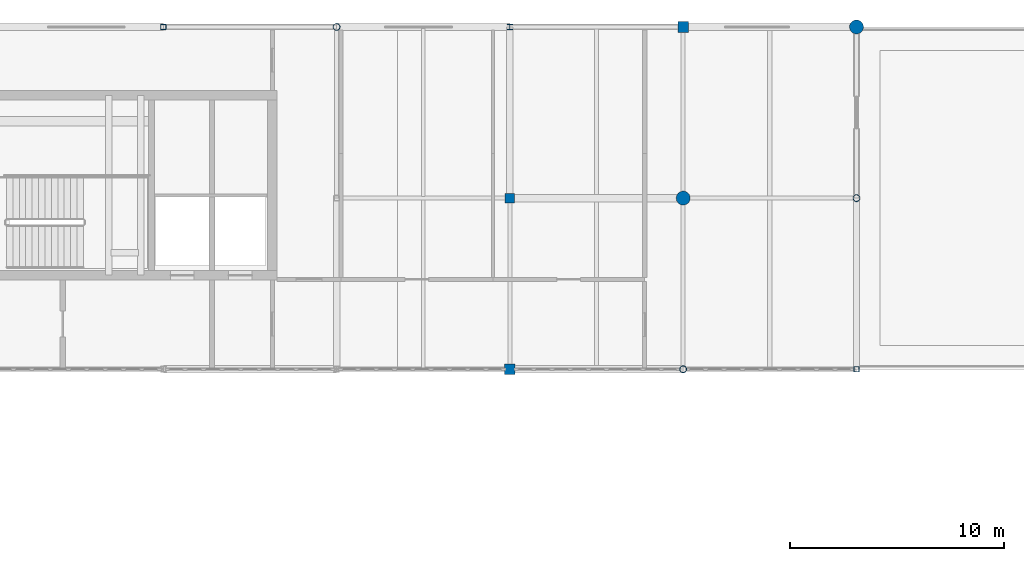
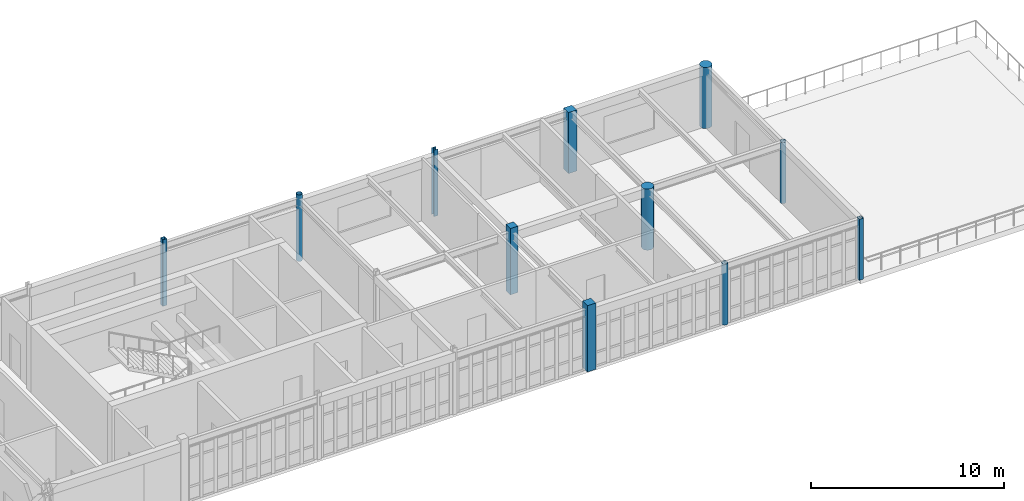
# One storey, part 5 of 36: 11 columns.
"""IFC4 building model written with IfcOpenShell, lengths in metres."""

from ifc_helpers import new_model, si_unit, direction, frame, origin, origin_2d, place, context, subcontext, project, spatial, rectangle, hollow_rectangle, circle, hollow_circle, i_section, extrude, material, material_profile, profile_set, type_object, element, save


model = new_model("IFC4")

# Units and contexts
model_context = context("Model", 3, precision=1e-05, world=origin(), true_north=direction((0.0, 1.0)))
body_context = subcontext(model_context, "Body", "Model", "MODEL_VIEW")
ifc_project = project(units=[si_unit("LENGTHUNIT", "METRE"), si_unit("AREAUNIT", "SQUARE_METRE"), si_unit("VOLUMEUNIT", "CUBIC_METRE"), si_unit("PLANEANGLEUNIT", "RADIAN"), si_unit("MASSUNIT", "GRAM", prefix="KILO")], contexts=[model_context])

# Site, building, storey
site_placement = place(None, origin())
site = spatial("IfcSite", under=ifc_project, at=site_placement, CompositionType="ELEMENT")
building_placement = place(site_placement, origin())
building = spatial("IfcBuilding", under=site, at=building_placement, Name="Tarnveldt Square Police Headquarters", CompositionType="ELEMENT")
storey_placement = place(building_placement, frame((0.0, 0.0, 24.89990234375)))
storey = spatial("IfcBuildingStorey", under=building, at=storey_placement, Name="L05", CompositionType="ELEMENT", Elevation=24.89990234375)

# Columns
ifc_material_1 = material(Name="Steel 350W", Category="steel")
ifc_material_profile_1 = material_profile(ifc_material_1, hollow_circle(Radius=0.161865234375, WallThickness=0.0126953125, at=origin_2d()), Name="HSS324x13")
ifc_profile_set_1 = profile_set([ifc_material_profile_1], Name="Steel 350W")
column_type_1 = type_object("IfcColumnType", Name="COL-CHS324x13", PredefinedType="COLUMN", material=ifc_profile_set_1)
column_1_placement = place(storey_placement, frame((64.800048828125, 112.0, 0.0), z_axis=(0.0, 0.0, 1.0), x_axis=(1.0, 0.0, 0.0)))
element("IfcColumn", 1, at=column_1_placement, inside=storey, type_object=column_type_1, Name="L05 Column 106", PredefinedType="COLUMN", context=body_context, shape_type="SweptSolid", body=[
    extrude(hollow_circle(Radius=0.161865234375, WallThickness=0.0126953125, at=origin_2d()), origin(), (0.0, 0.0, 1.0), 4.2001953125),
])
for number, where, z_axis, x_axis, name in (
    (2, (81.0, 96.0, 0.0), (0.0, 0.0, 1.0), (1.0, 0.0, 0.0), "L05 Column 124"),
    (3, (89.10009765625, 104.0, 0.0), (0.0, 0.0, 1.0), (1.0, 0.0, 0.0), "L05 Column 130"),
):
    element("IfcColumn", number, at=place(storey_placement, frame(where, z_axis=z_axis, x_axis=x_axis)), inside=storey, type_object=column_type_1, Name=name, PredefinedType="COLUMN", context=body_context, shape_type="SweptSolid", body=[
        extrude(hollow_circle(Radius=0.161865234375, WallThickness=0.0126953125, at=origin_2d()), origin(), (0.0, 0.0, 1.0), 3.860107421875),
    ])
ifc_material_2 = material(Name="Concrete 40 MPa", Category="concrete")
ifc_material_profile_2 = material_profile(ifc_material_2, circle(Radius=0.324951171875, at=origin_2d()), Name="RC-D650")
ifc_profile_set_2 = profile_set([ifc_material_profile_2], Name="Concrete 40 MPa")
column_type_2 = type_object("IfcColumnType", Name="COL-D650", PredefinedType="COLUMN", material=ifc_profile_set_2)
for number, where, z_axis, x_axis, name in (
    (4, (81.0, 104.0, 0.0), (0.0, 0.0, 1.0), (1.0, 0.0, 0.0), "L05 Column 125"),
    (5, (89.10009765625, 112.0, 0.0), (0.0, 0.0, 1.0), (1.0, 0.0, 0.0), "L05 Column 131"),
):
    element("IfcColumn", number, at=place(storey_placement, frame(where, z_axis=z_axis, x_axis=x_axis)), inside=storey, type_object=column_type_2, Name=name, PredefinedType="COLUMN", context=body_context, shape_type="SweptSolid", body=[
        extrude(circle(Radius=0.324951171875, at=origin_2d()), origin(), (0.0, 0.0, 1.0), 3.860107421875),
    ])
ifc_material_profile_3 = material_profile(ifc_material_1, hollow_rectangle(XDim=0.25390625, YDim=0.25390625, WallThickness=0.0126953125, InnerFilletRadius=0.0126953125, OuterFilletRadius=0.025390625, at=origin_2d()), Name="HSS254x254x13")
ifc_profile_set_3 = profile_set([ifc_material_profile_3], Name="Steel 350W")
column_type_3 = type_object("IfcColumnType", Name="COL-HSS254x13", PredefinedType="COLUMN", material=ifc_profile_set_3)
column_2_placement = place(storey_placement, frame((56.699951171875, 112.0, 0.0), z_axis=(0.0, 0.0, 1.0), x_axis=(1.0, 0.0, 0.0)))
element("IfcColumn", 6, at=column_2_placement, inside=storey, type_object=column_type_3, Name="L05 Column 093", PredefinedType="COLUMN", context=body_context, shape_type="SweptSolid", body=[
    extrude(hollow_rectangle(XDim=0.25390625, YDim=0.25390625, WallThickness=0.0126953125, InnerFilletRadius=0.0126953125, OuterFilletRadius=0.025390625, at=origin_2d()), origin(), (0.0, 0.0, 1.0), 4.2001953125),
])
column_3_placement = place(storey_placement, frame((89.10009765625, 96.0, 0.0), z_axis=(0.0, 0.0, 1.0), x_axis=(1.0, 0.0, 0.0)))
element("IfcColumn", 7, at=column_3_placement, inside=storey, type_object=column_type_3, Name="L05 Column 129", PredefinedType="COLUMN", context=body_context, shape_type="SweptSolid", body=[
    extrude(hollow_rectangle(XDim=0.25390625, YDim=0.25390625, WallThickness=0.0126953125, InnerFilletRadius=0.0126953125, OuterFilletRadius=0.025390625, at=origin_2d()), origin(), (0.0, 0.0, 1.0), 3.860107421875),
])
ifc_material_profile_4 = material_profile(ifc_material_2, rectangle(XDim=0.449951171875, YDim=0.449951171875, at=origin_2d()), Name="RC-C450x450")
ifc_profile_set_4 = profile_set([ifc_material_profile_4], Name="Concrete 40 MPa")
column_type_4 = type_object("IfcColumnType", Name="COL-RC450", PredefinedType="COLUMN", material=ifc_profile_set_4)
column_4_placement = place(storey_placement, frame((72.89990234375, 104.0, 0.0), z_axis=(0.0, 0.0, 1.0), x_axis=(1.0, 0.0, 0.0)))
element("IfcColumn", 8, at=column_4_placement, inside=storey, type_object=column_type_4, Name="L05 Column 115", PredefinedType="COLUMN", context=body_context, shape_type="SweptSolid", body=[
    extrude(rectangle(XDim=0.449951171875, YDim=0.449951171875, at=origin_2d()), origin(), (0.0, 0.0, 1.0), 4.2001953125),
])
ifc_material_profile_5 = material_profile(ifc_material_2, rectangle(XDim=0.5, YDim=0.5, at=origin_2d()), Name="RC-C500x500")
ifc_profile_set_5 = profile_set([ifc_material_profile_5], Name="Concrete 40 MPa")
column_type_5 = type_object("IfcColumnType", Name="COL-RC500", PredefinedType="COLUMN", material=ifc_profile_set_5)
column_5_placement = place(storey_placement, frame((72.89990234375, 96.0, 0.0), z_axis=(0.0, 0.0, 1.0), x_axis=(1.0, 0.0, 0.0)))
element("IfcColumn", 9, at=column_5_placement, inside=storey, type_object=column_type_5, Name="L05 Column 114", PredefinedType="COLUMN", context=body_context, shape_type="SweptSolid", body=[
    extrude(rectangle(XDim=0.5, YDim=0.5, at=origin_2d()), origin(), (0.0, 0.0, 1.0), 4.2001953125),
])
column_6_placement = place(storey_placement, frame((81.0, 112.0, 0.0), z_axis=(0.0, 0.0, 1.0), x_axis=(1.0, 0.0, 0.0)))
element("IfcColumn", 10, at=column_6_placement, inside=storey, type_object=column_type_5, Name="L05 Column 126", PredefinedType="COLUMN", context=body_context, shape_type="SweptSolid", body=[
    extrude(rectangle(XDim=0.5, YDim=0.5, at=origin_2d()), origin(), (0.0, 0.0, 1.0), 3.860107421875),
])
ifc_material_profile_6 = material_profile(ifc_material_1, i_section(OverallWidth=0.256103515625, OverallDepth=0.260009765625, WebThickness=0.0107421875, FlangeThickness=0.017333984375, FilletRadius=0.012939453125, at=origin_2d()), Name="W250x89")
ifc_profile_set_6 = profile_set([ifc_material_profile_6], Name="Steel 350W")
column_type_6 = type_object("IfcColumnType", Name="COL-W250x89", PredefinedType="COLUMN", material=ifc_profile_set_6)
column_7_placement = place(storey_placement, frame((72.89990234375, 112.0, 0.0), z_axis=(0.0, 0.0, 1.0), x_axis=(1.0, 0.0, 0.0)))
element("IfcColumn", 11, at=column_7_placement, inside=storey, type_object=column_type_6, Name="L05 Column 116", PredefinedType="COLUMN", context=body_context, shape_type="SweptSolid", body=[
    extrude(i_section(OverallWidth=0.256103515625, OverallDepth=0.260009765625, WebThickness=0.0107421875, FlangeThickness=0.017333984375, FilletRadius=0.012939453125, at=origin_2d()), origin(), (0.0, 0.0, 1.0), 4.2001953125),
])

save(model, "model.ifc")
